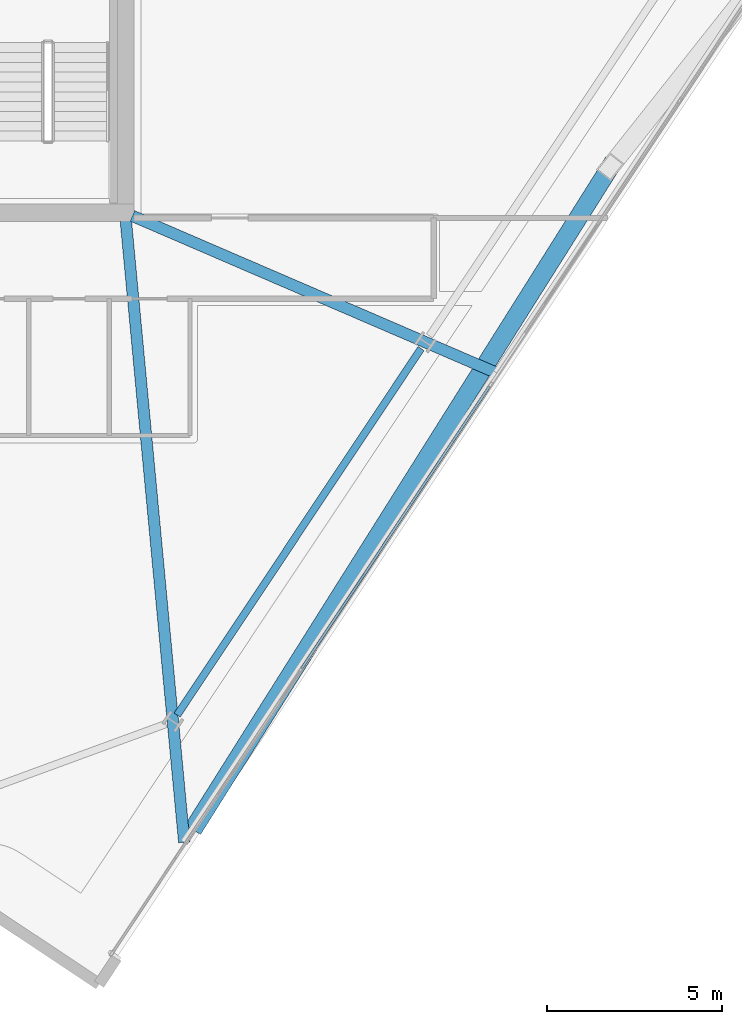
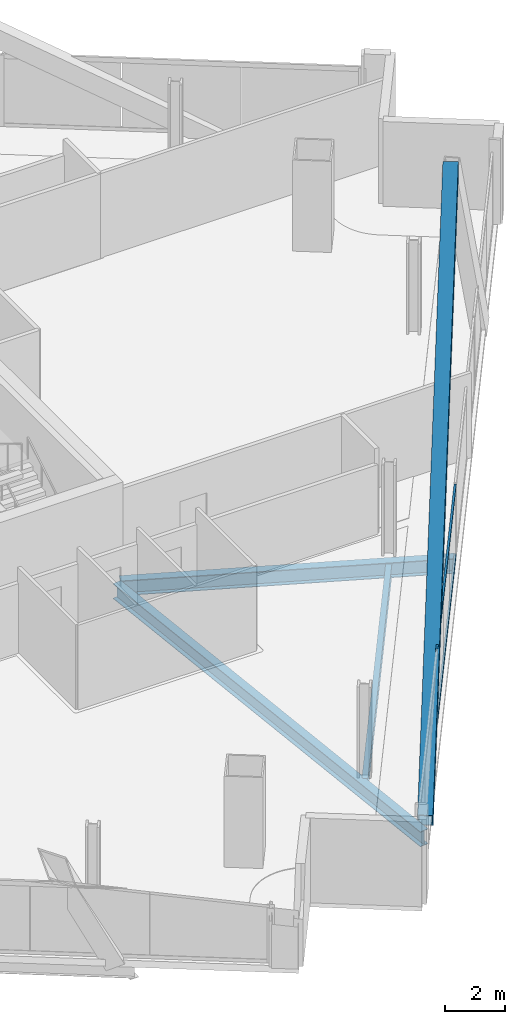
# One storey, part 10 of 32: 3 beams, 3 members, 1 element without a shape of its own.
"""IFC4 building model written with IfcOpenShell, lengths in metres."""

from ifc_helpers import new_model, si_unit, direction, frame, origin, origin_2d, place, context, subcontext, project, spatial, hollow_rectangle, i_section, extrude, material, material_profile, profile_set, type_object, element, aggregate, save


model = new_model("IFC4")

# Units and contexts
model_context = context("Model", 3, precision=1e-05, world=origin(), true_north=direction((0.0, 1.0)))
body_context = subcontext(model_context, "Body", "Model", "MODEL_VIEW")
ifc_project = project(units=[si_unit("LENGTHUNIT", "METRE"), si_unit("AREAUNIT", "SQUARE_METRE"), si_unit("VOLUMEUNIT", "CUBIC_METRE"), si_unit("PLANEANGLEUNIT", "RADIAN"), si_unit("MASSUNIT", "GRAM", prefix="KILO")], contexts=[model_context])

# Site, building, storey
site_placement = place(None, origin())
site = spatial("IfcSite", under=ifc_project, at=site_placement, CompositionType="ELEMENT")
building_placement = place(site_placement, origin())
building = spatial("IfcBuilding", under=site, at=building_placement, Name="Haldenkirk Collegiate Tower", CompositionType="ELEMENT")
storey_placement = place(building_placement, frame((0.0, 0.0, 217.199951171875)))
storey = spatial("IfcBuildingStorey", under=building, at=storey_placement, Name="L54", CompositionType="ELEMENT", Elevation=217.199951171875)

# Beams
ifc_material_1 = material(Name="Steel ASTM A992 Grade 50", Category="steel")
ifc_material_profile_1 = material_profile(ifc_material_1, i_section(OverallWidth=0.324951171875, OverallDepth=0.615966796875, WebThickness=0.013916015625, FlangeThickness=0.021484375, at=origin_2d()), Name="W24X117")
ifc_profile_set_1 = profile_set([ifc_material_profile_1], Name="Steel ASTM A992 Grade 50")
beam_type_1 = type_object("IfcBeamType", Name="BM-GIRDER-W24X117", PredefinedType="BEAM", material=ifc_profile_set_1)
beam_1_placement = place(storey_placement, frame((46.68701171875, 0.0419921875, -0.587890625), z_axis=(-0.093531828621, 0.995616290061, 0.0), x_axis=(-0.995616290061, -0.093531828621, 0.0)))
element("IfcBeam", 1, at=beam_1_placement, inside=storey, type_object=beam_type_1, Name="L54 primary floor girder 05", PredefinedType="BEAM", context=body_context, shape_type="SweptSolid", body=[
    extrude(i_section(OverallWidth=0.324951171875, OverallDepth=0.615966796875, WebThickness=0.013916015625, FlangeThickness=0.021484375, at=origin_2d()), origin(), (0.0, 0.0, 1.0), 17.80712890625),
])
beam_2_placement = place(storey_placement, frame((55.599365234375, 13.430908203125, -0.587890625), z_axis=(-0.918312453677, 0.395856334321, 0.0), x_axis=(-0.395856334321, -0.918312453677, 0.0)))
element("IfcBeam", 2, at=beam_2_placement, inside=storey, type_object=beam_type_1, Name="L54 primary floor girder 06", PredefinedType="BEAM", context=body_context, shape_type="SweptSolid", body=[
    extrude(i_section(OverallWidth=0.324951171875, OverallDepth=0.615966796875, WebThickness=0.013916015625, FlangeThickness=0.021484375, at=origin_2d()), origin(), (0.0, 0.0, 1.0), 11.312255859375),
])
ifc_material_profile_2 = material_profile(ifc_material_1, i_section(OverallWidth=0.2099609375, OverallDepth=0.537109375, WebThickness=0.010986328125, FlangeThickness=0.017333984375, at=origin_2d()), Name="W21X68")
ifc_profile_set_2 = profile_set([ifc_material_profile_2], Name="Steel ASTM A992 Grade 50")
beam_type_2 = type_object("IfcBeamType", Name="BM-SPANDREL-W21X68", PredefinedType="SPANDREL", material=ifc_profile_set_2)
beam_3_placement = place(storey_placement, frame((46.4833984375, 3.67041015625, -0.54833984375), z_axis=(0.554112521622, 0.832441777773, 0.0), x_axis=(-0.832441777773, 0.554112521622, 0.0)))
element("IfcBeam", 3, at=beam_3_placement, inside=storey, type_object=beam_type_2, Name="L54 perimeter spandrel beam 02", PredefinedType="SPANDREL", context=body_context, shape_type="SweptSolid", body=[
    extrude(i_section(OverallWidth=0.2099609375, OverallDepth=0.537109375, WebThickness=0.010986328125, FlangeThickness=0.017333984375, at=origin_2d()), origin(), (0.0, 0.0, 1.0), 12.561767578125),
])

# Curtain wall, members
ifc_material_2 = material(Name="Anodised architectural bronze aluminium", Category="aluminium")
curtain_wall_type = type_object("IfcCurtainWallType", Name="CW-SYS2-CONCAVE", PredefinedType="USERDEFINED", material=ifc_material_2)
curtain_wall_placement = place(storey_placement, origin())
curtain_wall = element("IfcCurtainWall", 4, at=curtain_wall_placement, inside=storey, type_object=curtain_wall_type, Name="L54 South concave recessed bronze-anodised curtain wall", ObjectType="UNITISED CURTAIN WALL", PredefinedType="USERDEFINED")
ifc_material_profile_3 = material_profile(ifc_material_2, hollow_rectangle(XDim=0.074951171875, YDim=0.159912109375, WallThickness=0.0048828125, at=origin_2d()), Name="CW-TRN-02")
ifc_profile_set_3 = profile_set([ifc_material_profile_3], Name="Anodised architectural bronze aluminium")
member_type_1 = type_object("IfcMemberType", Name="CW-TRN-02", PredefinedType="USERDEFINED", material=ifc_profile_set_3)
member_1_placement = place(storey_placement, frame((55.3916015625, 13.046630859375, 0.03759765625), z_axis=(-0.554123552672, -0.83243443488, 0.0), x_axis=(0.83243443488, -0.554123552672, 0.0)))
member_1 = element("IfcMember", 5, at=member_1_placement, type_object=member_type_1, Name="CW-02 transom 3.1", ObjectType="TRANSOM", PredefinedType="USERDEFINED", context=body_context, shape_type="SweptSolid", body=[
    extrude(hollow_rectangle(XDim=0.074951171875, YDim=0.159912109375, WallThickness=0.0048828125, at=origin_2d()), origin(), (0.0, 0.0, 1.0), 9.6748046875),
])
member_2_placement = place(storey_placement, frame((55.3916015625, 13.046630859375, 2.890625), z_axis=(-0.554123552672, -0.83243443488, 0.0), x_axis=(0.83243443488, -0.554123552672, 0.0)))
member_2 = element("IfcMember", 6, at=member_2_placement, type_object=member_type_1, Name="CW-02 transom 3.2", ObjectType="TRANSOM", PredefinedType="USERDEFINED", context=body_context, shape_type="SweptSolid", body=[
    extrude(hollow_rectangle(XDim=0.074951171875, YDim=0.159912109375, WallThickness=0.0048828125, at=origin_2d()), origin(), (0.0, 0.0, 1.0), 9.6748046875),
])
aggregate(curtain_wall, [member_1, member_2])

# Member
ifc_material_3 = material(Name="Steel ASTM A572 Grade 50", Category="steel")
ifc_material_profile_4 = material_profile(ifc_material_3, hollow_rectangle(XDim=0.52001953125, YDim=0.719970703125, WallThickness=0.035888671875, at=origin_2d()), Name="BOX720X520X36")
ifc_profile_set_4 = profile_set([ifc_material_profile_4], Name="Steel ASTM A572 Grade 50")
member_type_2 = type_object("IfcMemberType", Name="MBR-MEGABRACE-BOX720X520X36", PredefinedType="BRACE", material=ifc_profile_set_4)
member_3_placement = place(storey_placement, frame((47.01953125, 0.54150390625, -0.2900390625), z_axis=(0.475267144171, 0.754655312926, 0.452345554134), x_axis=(-0.846175302418, 0.532904642106, 0.0)))
element("IfcMember", 7, at=member_3_placement, inside=storey, type_object=member_type_2, Name="Perimeter Mega Brace Z4 L54-L56 SL", PredefinedType="BRACE", context=body_context, shape_type="SweptSolid", body=[
    extrude(hollow_rectangle(XDim=0.52001953125, YDim=0.719970703125, WallThickness=0.035888671875, at=origin_2d()), origin(), (0.0, 0.0, 1.0), 24.870361328125),
])

save(model, "model.ifc")
